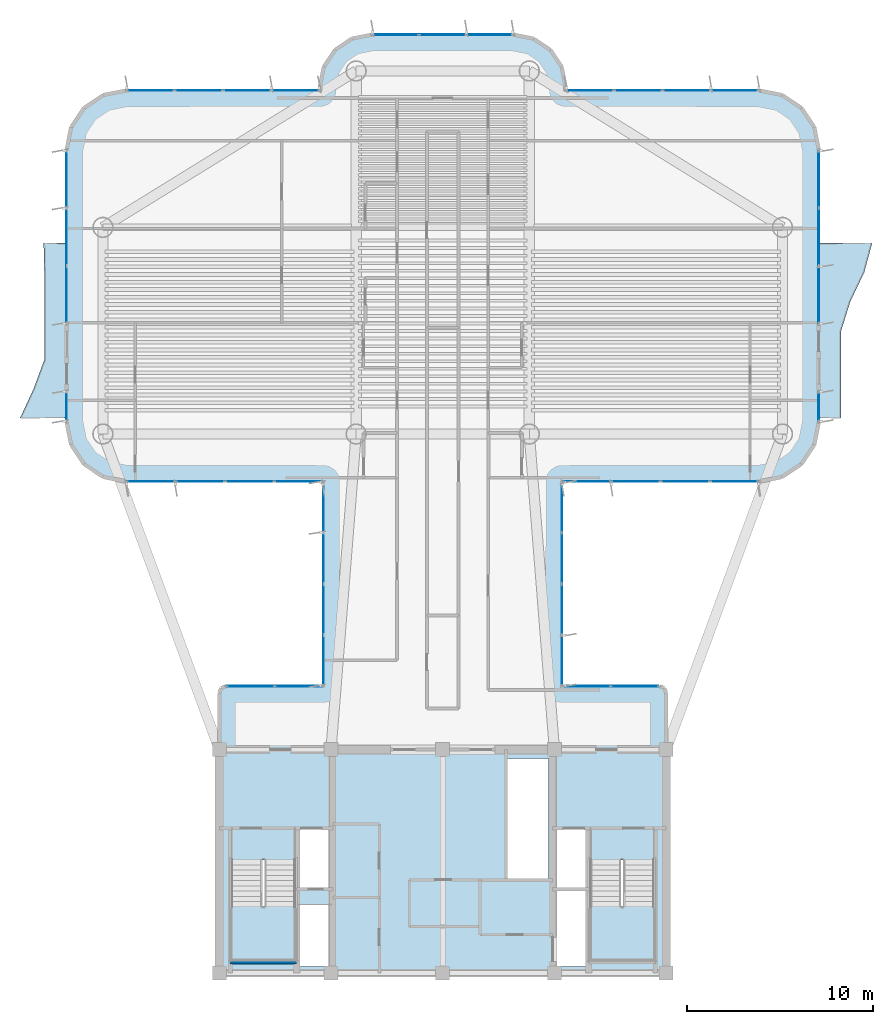
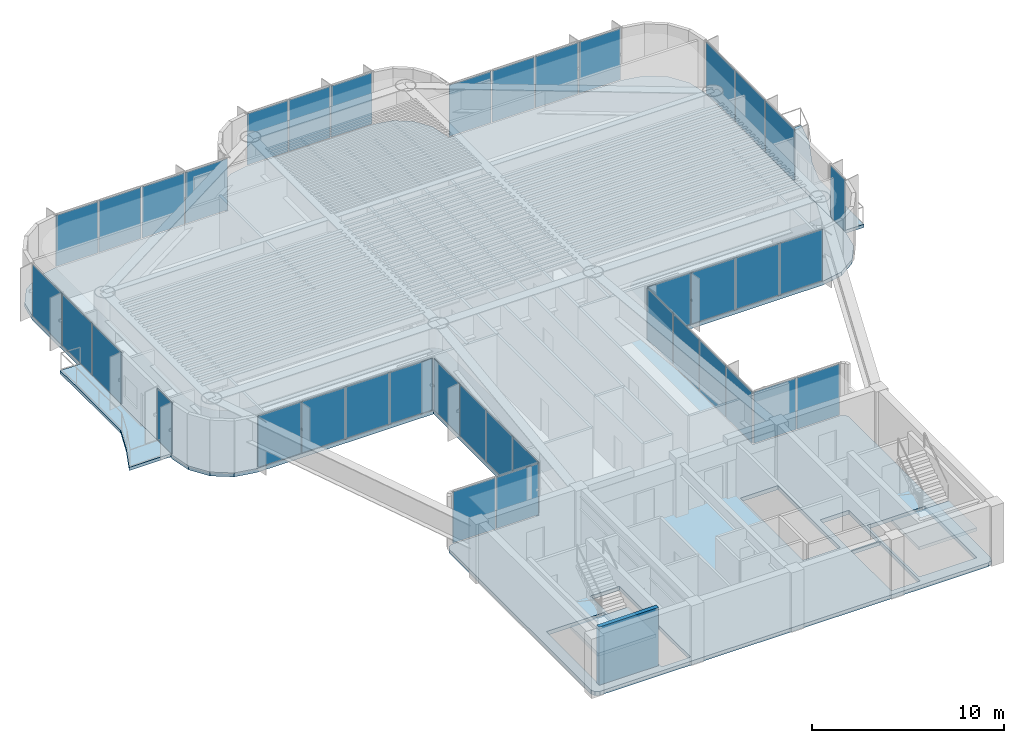
# One storey, part 7 of 13: 39 plates, 5 slabs, 1 wall, 15 elements without a shape of their own.
"""IFC4 building model written with IfcOpenShell, lengths in metres."""

from ifc_helpers import new_model, si_unit, direction, frame, frame_2d, origin, origin_2d, place, context, subcontext, project, spatial, polyline, rectangle, outline, extrude, source, transform, mapped, material, layer, layer_set, type_object, element, aggregate, save


model = new_model("IFC4")

# Units and contexts
model_context = context("Model", 3, precision=1e-05, world=origin(), true_north=direction((0.0, 1.0)))
body_context = subcontext(model_context, "Body", "Model", "MODEL_VIEW")
ifc_project = project(units=[si_unit("LENGTHUNIT", "METRE"), si_unit("AREAUNIT", "SQUARE_METRE"), si_unit("VOLUMEUNIT", "CUBIC_METRE"), si_unit("PLANEANGLEUNIT", "RADIAN"), si_unit("MASSUNIT", "GRAM", prefix="KILO")], contexts=[model_context])

# Site, building, storey
site_placement = place(None, origin())
site = spatial("IfcSite", under=ifc_project, at=site_placement, CompositionType="ELEMENT")
building_placement = place(site_placement, origin())
building = spatial("IfcBuilding", under=site, at=building_placement, Name="Brelvock Crest Care Tower", CompositionType="ELEMENT")
storey_placement = place(building_placement, frame((0.0, 0.0, 209.340087890625)))
storey = spatial("IfcBuildingStorey", under=building, at=storey_placement, Name="L53", CompositionType="ELEMENT", Elevation=209.340087890625)

# Slabs
ifc_material_1 = material(Name="Concrete N50 (50 MPa)", Category="concrete")
ifc_layer_1 = layer(ifc_material_1, 0.22998046875, Name="SLB-FL4")
ifc_layer_set_1 = layer_set([ifc_layer_1], Name="Concrete N50 (50 MPa)")
slab_type_1 = type_object("IfcSlabType", Name="SLB-FL4", PredefinedType="FLOOR", material=ifc_layer_set_1)
slab_1_placement = place(storey_placement, frame((0.0, 0.0, -0.25)))
element("IfcSlab", 1, at=slab_1_placement, inside=storey, type_object=slab_type_1, Name="L53 Main Structural Slab", PredefinedType="FLOOR", context=body_context, shape_type="SweptSolid", body=[
    extrude(outline(polyline([(47.64990234375, 21.39990234375), (42.39990234375, 21.39990234375), (42.39990234375, 32.39990234375), (53.0, 32.39990234375), (54.224609375, 32.6435546875), (55.2626953125, 33.33740234375), (55.956298828125, 34.37548828125), (56.199951171875, 35.60009765625), (56.199951171875, 50.199951171875), (55.956298828125, 51.424560546875), (55.2626953125, 52.462646484375), (54.224609375, 53.156494140625), (53.0, 53.39990234375), (42.60009765625, 53.39990234375), (42.60009765625, 53.60009765625), (42.386962890625, 54.67138671875), (41.77978515625, 55.579833984375), (40.87158203125, 56.18701171875), (39.800048828125, 56.39990234375), (32.199951171875, 56.39990234375), (31.12841796875, 56.18701171875), (30.22021484375, 55.579833984375), (29.613037109375, 54.67138671875), (29.39990234375, 53.60009765625), (29.39990234375, 53.39990234375), (19.0, 53.39990234375), (17.775390625, 53.156494140625), (16.7373046875, 52.462646484375), (16.043701171875, 51.424560546875), (15.800048828125, 50.199951171875), (15.800048828125, 35.60009765625), (16.043701171875, 34.37548828125), (16.7373046875, 33.33740234375), (17.775390625, 32.6435546875), (19.0, 32.39990234375), (29.60009765625, 32.39990234375), (29.60009765625, 21.39990234375), (24.35009765625, 21.39990234375), (24.1025390625, 21.297607421875), (24.0, 21.050048828125), (24.0, 6.35009765625), (24.1025390625, 6.1025390625), (24.35009765625, 6.0), (47.64990234375, 6.0), (47.8974609375, 6.1025390625), (48.0, 6.35009765625), (48.0, 21.050048828125), (47.8974609375, 21.297607421875), (47.64990234375, 21.39990234375)]), holes=[polyline([(28.239990234375, 10.580078125), (29.97998046875, 10.580078125), (29.97998046875, 13.739990234375), (28.239990234375, 13.739990234375), (28.239990234375, 10.580078125)]), polyline([(42.02001953125, 10.580078125), (43.760009765625, 10.580078125), (43.760009765625, 13.739990234375), (42.02001953125, 13.739990234375), (42.02001953125, 10.580078125)]), polyline([(28.239990234375, 6.340087890625), (29.97998046875, 6.340087890625), (29.97998046875, 9.64990234375), (28.239990234375, 9.64990234375), (28.239990234375, 6.340087890625)]), polyline([(24.6298828125, 12.080078125), (24.6298828125, 6.699951171875), (28.110107421875, 6.699951171875), (28.110107421875, 12.080078125), (24.6298828125, 12.080078125)]), polyline([(43.889892578125, 12.080078125), (43.889892578125, 6.699951171875), (47.3701171875, 6.699951171875), (47.3701171875, 12.080078125), (43.889892578125, 12.080078125)]), polyline([(42.02001953125, 6.340087890625), (43.760009765625, 6.340087890625), (43.760009765625, 10.5), (42.02001953125, 10.5), (42.02001953125, 6.340087890625)]), polyline([(39.429931640625, 11.030029296875), (41.669921875, 11.030029296875), (41.669921875, 17.52001953125), (39.429931640625, 17.52001953125), (39.429931640625, 11.030029296875)])]), origin(), (0.0, 0.0, 1.0), 0.25),
])
ifc_layer_2 = layer(ifc_material_1, 0.199951171875, Name="SLB-WB2")
ifc_layer_set_2 = layer_set([ifc_layer_2], Name="Concrete N50 (50 MPa)")
slab_type_2 = type_object("IfcSlabType", Name="SLB-WB2", PredefinedType="FLOOR", material=ifc_layer_set_2)
slab_2_placement = place(storey_placement, frame((0.0, 0.0, -0.2001953125)))
element("IfcSlab", 2, at=slab_2_placement, inside=storey, type_object=slab_type_2, Name="L53 W Sinusoidal Wave Balcony Slab", PredefinedType="FLOOR", context=body_context, shape_type="SweptSolid", body=[
    extrude(outline(polyline([(15.800048828125, 45.199951171875), (14.565185546875, 45.199951171875), (14.60009765625, 43.63330078125), (14.60009765625, 42.066650390625), (14.60009765625, 40.5), (14.60009765625, 38.933349609375), (14.021484375, 37.36669921875), (13.29541015625, 35.800048828125), (15.800048828125, 35.800048828125), (15.800048828125, 45.199951171875)])), origin(), (0.0, 0.0, 1.0), 0.2001953125),
])
slab_3_placement = place(storey_placement, frame((0.0, 0.0, -0.2001953125)))
element("IfcSlab", 3, at=slab_3_placement, inside=storey, type_object=slab_type_2, Name="L53 E Sinusoidal Wave Balcony Slab", PredefinedType="FLOOR", context=body_context, shape_type="SweptSolid", body=[
    extrude(outline(polyline([(56.199951171875, 35.800048828125), (57.39990234375, 35.800048828125), (57.39990234375, 37.36669921875), (57.39990234375, 38.933349609375), (57.39990234375, 40.5), (57.89111328125, 42.066650390625), (58.64013671875, 43.63330078125), (59.062744140625, 45.199951171875), (56.199951171875, 45.199951171875), (56.199951171875, 35.800048828125)])), origin(), (0.0, 0.0, 1.0), 0.2001953125),
])

# Stair, slab
ifc_material_2 = material(Name="Concrete N40 (40 MPa)", Category="concrete")
stair_type = type_object("IfcStairType", Name="ST-CORE1", PredefinedType="HALF_TURN_STAIR", material=ifc_material_2)
stair_1_placement = place(storey_placement, origin())
stair_1 = element("IfcStair", 4, at=stair_1_placement, inside=storey, type_object=stair_type, Name="L53 Fire-Isolated Core Stair ST-1", PredefinedType="HALF_TURN_STAIR")
ifc_layer_3 = layer(ifc_material_2, 0.199951171875, Name="STL-1")
ifc_layer_set_3 = layer_set([ifc_layer_3], Name="Concrete N40 (40 MPa)")
slab_type_3 = type_object("IfcSlabType", Name="STL-1", PredefinedType="LANDING", material=ifc_layer_set_3)
slab_4_placement = place(storey_placement, frame((0.0, 0.0, 1.68994140625)))
slab_4 = element("IfcSlab", 5, at=slab_4_placement, type_object=slab_type_3, Name="ST-1 landing 1", PredefinedType="LANDING", context=body_context, shape_type="SweptSolid", body=[
    extrude(outline(polyline([(24.6298828125, 9.56005859375), (24.6298828125, 6.699951171875), (28.110107421875, 6.699951171875), (28.110107421875, 9.56005859375), (24.6298828125, 9.56005859375)])), origin(), (0.0, 0.0, 1.0), 0.199951171875),
])
aggregate(stair_1, [slab_4])

stair_2_placement = place(storey_placement, origin())
stair_2 = element("IfcStair", 6, at=stair_2_placement, inside=storey, type_object=stair_type, Name="L53 Fire-Isolated Core Stair ST-2", PredefinedType="HALF_TURN_STAIR")
slab_5_placement = place(storey_placement, frame((0.0, 0.0, 1.68994140625)))
slab_5 = element("IfcSlab", 7, at=slab_5_placement, type_object=slab_type_3, Name="ST-2 landing 1", PredefinedType="LANDING", context=body_context, shape_type="SweptSolid", body=[
    extrude(outline(polyline([(43.889892578125, 9.56005859375), (43.889892578125, 6.699951171875), (47.3701171875, 6.699951171875), (47.3701171875, 9.56005859375), (43.889892578125, 9.56005859375)])), origin(), (0.0, 0.0, 1.0), 0.199951171875),
])
aggregate(stair_2, [slab_5])

# Curtain wall, plates
ifc_material_3 = material(Name="Dark Glass Double Glazed Low-E", Category="glass")
ifc_layer_4 = layer(ifc_material_3, 0.22509765625, Name="CWS-4")
ifc_layer_set_4 = layer_set([ifc_layer_4], Name="Dark Glass Double Glazed Low-E")
curtain_wall_type = type_object("IfcCurtainWallType", Name="CWS-4", PredefinedType="NOTDEFINED", material=ifc_layer_set_4)
curtain_wall_1_placement = place(storey_placement, origin())
curtain_wall_1 = element("IfcCurtainWall", 8, at=curtain_wall_1_placement, inside=storey, type_object=curtain_wall_type, Name="L53 Curtain Wall E10", PredefinedType="NOTDEFINED")
ifc_layer_5 = layer(ifc_material_3, 0.0380859375, Name="CWP-V2")
ifc_layer_set_5 = layer_set([ifc_layer_5], Name="Dark Glass Double Glazed Low-E")
plate_type = type_object("IfcPlateType", Name="CWP-V2", PredefinedType="CURTAIN_PANEL", material=ifc_layer_set_5)
shared_shape_1 = source(origin(), body_context, "Body", "SweptSolid", [
    extrude(rectangle(XDim=2.534912109375, YDim=0.035888671875, at=origin_2d()), origin(), (0.0, 0.0, 1.0), 3.251953125),
])
plate_1_placement = place(storey_placement, frame((25.677490234375, 21.39990234375, 0.059814453125), z_axis=(0.0, 0.0, 1.0), x_axis=(1.0, 0.0, 0.0)))
plate_1 = element("IfcPlate", 9, at=plate_1_placement, type_object=plate_type, Name="CW-4 panel 1.1", PredefinedType="CURTAIN_PANEL", context=body_context, shape_type="MappedRepresentation", body=[
    mapped(shared_shape_1, transform((0.0, 0.0, 0.0), x_axis=(1.0, 0.0, 0.0), y_axis=(0.0, 1.0, 0.0), z_axis=(0.0, 0.0, 1.0), scale=1.0)),
])
plate_2_placement = place(storey_placement, frame((28.2724609375, 21.39990234375, 0.059814453125), z_axis=(0.0, 0.0, 1.0), x_axis=(1.0, 0.0, 0.0)))
plate_2 = element("IfcPlate", 10, at=plate_2_placement, type_object=plate_type, Name="CW-4 panel 2.1", PredefinedType="CURTAIN_PANEL", context=body_context, shape_type="MappedRepresentation", body=[
    mapped(shared_shape_1, transform((0.0, 0.0, 0.0), x_axis=(1.0, 0.0, 0.0), y_axis=(0.0, 1.0, 0.0), z_axis=(0.0, 0.0, 1.0), scale=1.0)),
])
aggregate(curtain_wall_1, [plate_1, plate_2])

curtain_wall_2_placement = place(storey_placement, origin())
curtain_wall_2 = element("IfcCurtainWall", 11, at=curtain_wall_2_placement, inside=storey, type_object=curtain_wall_type, Name="L53 Curtain Wall E46", PredefinedType="NOTDEFINED")
plate_3_placement = place(storey_placement, frame((43.7275390625, 21.39990234375, 0.059814453125), z_axis=(0.0, 0.0, 1.0), x_axis=(1.0, 0.0, 0.0)))
plate_3 = element("IfcPlate", 12, at=plate_3_placement, type_object=plate_type, Name="CW-4 panel 1.1", PredefinedType="CURTAIN_PANEL", context=body_context, shape_type="MappedRepresentation", body=[
    mapped(shared_shape_1, transform((0.0, 0.0, 0.0), x_axis=(1.0, 0.0, 0.0), y_axis=(0.0, 1.0, 0.0), z_axis=(0.0, 0.0, 1.0), scale=1.0)),
])
plate_4_placement = place(storey_placement, frame((46.322509765625, 21.39990234375, 0.059814453125), z_axis=(0.0, 0.0, 1.0), x_axis=(1.0, 0.0, 0.0)))
plate_4 = element("IfcPlate", 13, at=plate_4_placement, type_object=plate_type, Name="CW-4 panel 2.1", PredefinedType="CURTAIN_PANEL", context=body_context, shape_type="MappedRepresentation", body=[
    mapped(shared_shape_1, transform((0.0, 0.0, 0.0), x_axis=(1.0, 0.0, 0.0), y_axis=(0.0, 1.0, 0.0), z_axis=(0.0, 0.0, 1.0), scale=1.0)),
])
aggregate(curtain_wall_2, [plate_3, plate_4])

curtain_wall_3_placement = place(storey_placement, origin())
curtain_wall_3 = element("IfcCurtainWall", 14, at=curtain_wall_3_placement, inside=storey, type_object=curtain_wall_type, Name="L53 Curtain Wall E11", PredefinedType="NOTDEFINED")
shared_shape_2 = source(origin(), body_context, "Body", "SweptSolid", [
    extrude(rectangle(XDim=2.659912109375, YDim=0.035888671875, at=origin_2d()), origin(), (0.0, 0.0, 1.0), 3.251953125),
])
plate_5_placement = place(storey_placement, frame((29.60009765625, 22.7900390625, 0.059814453125), z_axis=(0.0, 0.0, 1.0), x_axis=(0.0, 1.0, 0.0)))
plate_5 = element("IfcPlate", 15, at=plate_5_placement, type_object=plate_type, Name="CW-4 panel 1.1", PredefinedType="CURTAIN_PANEL", context=body_context, shape_type="MappedRepresentation", body=[
    mapped(shared_shape_2, transform((0.0, 0.0, 0.0), x_axis=(1.0, 0.0, 0.0), y_axis=(0.0, 1.0, 0.0), z_axis=(0.0, 0.0, 1.0), scale=1.0)),
])
plate_6_placement = place(storey_placement, frame((29.60009765625, 31.010009765625, 0.059814453125), z_axis=(0.0, 0.0, 1.0), x_axis=(0.0, 1.0, 0.0)))
plate_6 = element("IfcPlate", 16, at=plate_6_placement, type_object=plate_type, Name="CW-4 panel 4.1", PredefinedType="CURTAIN_PANEL", context=body_context, shape_type="MappedRepresentation", body=[
    mapped(shared_shape_2, transform((0.0, 0.0, 0.0), x_axis=(1.0, 0.0, 0.0), y_axis=(0.0, 1.0, 0.0), z_axis=(0.0, 0.0, 1.0), scale=1.0)),
])

curtain_wall_4_placement = place(storey_placement, origin())
curtain_wall_4 = element("IfcCurtainWall", 17, at=curtain_wall_4_placement, inside=storey, type_object=curtain_wall_type, Name="L53 Curtain Wall E45", PredefinedType="NOTDEFINED")
plate_7_placement = place(storey_placement, frame((42.39990234375, 31.010009765625, 0.059814453125), z_axis=(0.0, 0.0, 1.0), x_axis=(0.0, -1.0, 0.0)))
plate_7 = element("IfcPlate", 18, at=plate_7_placement, type_object=plate_type, Name="CW-4 panel 1.1", PredefinedType="CURTAIN_PANEL", context=body_context, shape_type="MappedRepresentation", body=[
    mapped(shared_shape_2, transform((0.0, 0.0, 0.0), x_axis=(1.0, 0.0, 0.0), y_axis=(0.0, 1.0, 0.0), z_axis=(0.0, 0.0, 1.0), scale=1.0)),
])
plate_8_placement = place(storey_placement, frame((42.39990234375, 22.7900390625, 0.059814453125), z_axis=(0.0, 0.0, 1.0), x_axis=(0.0, -1.0, 0.0)))
plate_8 = element("IfcPlate", 19, at=plate_8_placement, type_object=plate_type, Name="CW-4 panel 4.1", PredefinedType="CURTAIN_PANEL", context=body_context, shape_type="MappedRepresentation", body=[
    mapped(shared_shape_2, transform((0.0, 0.0, 0.0), x_axis=(1.0, 0.0, 0.0), y_axis=(0.0, 1.0, 0.0), z_axis=(0.0, 0.0, 1.0), scale=1.0)),
])

# Plate
shared_shape_3 = source(origin(), body_context, "Body", "SweptSolid", [
    extrude(rectangle(XDim=2.68994140625, YDim=0.035888671875, at=origin_2d()), origin(), (0.0, 0.0, 1.0), 3.251953125),
])
plate_9_placement = place(storey_placement, frame((29.60009765625, 25.52490234375, 0.059814453125), z_axis=(0.0, 0.0, 1.0), x_axis=(0.0, 1.0, 0.0)))
plate_9 = element("IfcPlate", 20, at=plate_9_placement, type_object=plate_type, Name="CW-4 panel 2.1", PredefinedType="CURTAIN_PANEL", context=body_context, shape_type="MappedRepresentation", body=[
    mapped(shared_shape_3, transform((0.0, 0.0, 0.0), x_axis=(1.0, 0.0, 0.0), y_axis=(0.0, 1.0, 0.0), z_axis=(0.0, 0.0, 1.0), scale=1.0)),
])

plate_10_placement = place(storey_placement, frame((29.60009765625, 28.27490234375, 0.059814453125), z_axis=(0.0, 0.0, 1.0), x_axis=(0.0, 1.0, 0.0)))
plate_10 = element("IfcPlate", 21, at=plate_10_placement, type_object=plate_type, Name="CW-4 panel 3.1", PredefinedType="CURTAIN_PANEL", context=body_context, shape_type="MappedRepresentation", body=[
    mapped(shared_shape_3, transform((0.0, 0.0, 0.0), x_axis=(1.0, 0.0, 0.0), y_axis=(0.0, 1.0, 0.0), z_axis=(0.0, 0.0, 1.0), scale=1.0)),
])

aggregate(curtain_wall_3, [plate_5, plate_9, plate_10, plate_6])

plate_11_placement = place(storey_placement, frame((42.39990234375, 28.27490234375, 0.059814453125), z_axis=(0.0, 0.0, 1.0), x_axis=(0.0, -1.0, 0.0)))
plate_11 = element("IfcPlate", 22, at=plate_11_placement, type_object=plate_type, Name="CW-4 panel 2.1", PredefinedType="CURTAIN_PANEL", context=body_context, shape_type="MappedRepresentation", body=[
    mapped(shared_shape_3, transform((0.0, 0.0, 0.0), x_axis=(1.0, 0.0, 0.0), y_axis=(0.0, 1.0, 0.0), z_axis=(0.0, 0.0, 1.0), scale=1.0)),
])

plate_12_placement = place(storey_placement, frame((42.39990234375, 25.52490234375, 0.059814453125), z_axis=(0.0, 0.0, 1.0), x_axis=(0.0, -1.0, 0.0)))
plate_12 = element("IfcPlate", 23, at=plate_12_placement, type_object=plate_type, Name="CW-4 panel 3.1", PredefinedType="CURTAIN_PANEL", context=body_context, shape_type="MappedRepresentation", body=[
    mapped(shared_shape_3, transform((0.0, 0.0, 0.0), x_axis=(1.0, 0.0, 0.0), y_axis=(0.0, 1.0, 0.0), z_axis=(0.0, 0.0, 1.0), scale=1.0)),
])

aggregate(curtain_wall_4, [plate_7, plate_11, plate_12, plate_8])

# Curtain wall, plates
curtain_wall_5_placement = place(storey_placement, origin())
curtain_wall_5 = element("IfcCurtainWall", 24, at=curtain_wall_5_placement, inside=storey, type_object=curtain_wall_type, Name="L53 Curtain Wall E12", PredefinedType="NOTDEFINED")
shared_shape_4 = source(origin(), body_context, "Body", "SweptSolid", [
    extrude(rectangle(XDim=2.56005859375, YDim=0.035888671875, at=origin_2d()), origin(), (0.0, 0.0, 1.0), 3.251953125),
])
plate_13_placement = place(storey_placement, frame((28.260009765625, 32.39990234375, 0.059814453125), z_axis=(0.0, 0.0, 1.0), x_axis=(-1.0, 0.0, 0.0)))
plate_13 = element("IfcPlate", 25, at=plate_13_placement, type_object=plate_type, Name="CW-4 panel 1.1", PredefinedType="CURTAIN_PANEL", context=body_context, shape_type="MappedRepresentation", body=[
    mapped(shared_shape_4, transform((0.0, 0.0, 0.0), x_axis=(1.0, 0.0, 0.0), y_axis=(0.0, 1.0, 0.0), z_axis=(0.0, 0.0, 1.0), scale=1.0)),
])
plate_14_placement = place(storey_placement, frame((20.340087890625, 32.39990234375, 0.059814453125), z_axis=(0.0, 0.0, 1.0), x_axis=(-1.0, 0.0, 0.0)))
plate_14 = element("IfcPlate", 26, at=plate_14_placement, type_object=plate_type, Name="CW-4 panel 4.1", PredefinedType="CURTAIN_PANEL", context=body_context, shape_type="MappedRepresentation", body=[
    mapped(shared_shape_4, transform((0.0, 0.0, 0.0), x_axis=(1.0, 0.0, 0.0), y_axis=(0.0, 1.0, 0.0), z_axis=(0.0, 0.0, 1.0), scale=1.0)),
])

curtain_wall_6_placement = place(storey_placement, origin())
curtain_wall_6 = element("IfcCurtainWall", 27, at=curtain_wall_6_placement, inside=storey, type_object=curtain_wall_type, Name="L53 Curtain Wall E44", PredefinedType="NOTDEFINED")
plate_15_placement = place(storey_placement, frame((51.659912109375, 32.39990234375, 0.059814453125), z_axis=(0.0, 0.0, 1.0), x_axis=(-1.0, 0.0, 0.0)))
plate_15 = element("IfcPlate", 28, at=plate_15_placement, type_object=plate_type, Name="CW-4 panel 1.1", PredefinedType="CURTAIN_PANEL", context=body_context, shape_type="MappedRepresentation", body=[
    mapped(shared_shape_4, transform((0.0, 0.0, 0.0), x_axis=(1.0, 0.0, 0.0), y_axis=(0.0, 1.0, 0.0), z_axis=(0.0, 0.0, 1.0), scale=1.0)),
])
plate_16_placement = place(storey_placement, frame((43.739990234375, 32.39990234375, 0.059814453125), z_axis=(0.0, 0.0, 1.0), x_axis=(-1.0, 0.0, 0.0)))
plate_16 = element("IfcPlate", 29, at=plate_16_placement, type_object=plate_type, Name="CW-4 panel 4.1", PredefinedType="CURTAIN_PANEL", context=body_context, shape_type="MappedRepresentation", body=[
    mapped(shared_shape_4, transform((0.0, 0.0, 0.0), x_axis=(1.0, 0.0, 0.0), y_axis=(0.0, 1.0, 0.0), z_axis=(0.0, 0.0, 1.0), scale=1.0)),
])

# Plate
shared_shape_5 = source(origin(), body_context, "Body", "SweptSolid", [
    extrude(rectangle(XDim=2.590087890625, YDim=0.035888671875, at=origin_2d()), origin(), (0.0, 0.0, 1.0), 3.251953125),
])
plate_17_placement = place(storey_placement, frame((25.625, 32.39990234375, 0.059814453125), z_axis=(0.0, 0.0, 1.0), x_axis=(-1.0, 0.0, 0.0)))
plate_17 = element("IfcPlate", 30, at=plate_17_placement, type_object=plate_type, Name="CW-4 panel 2.1", PredefinedType="CURTAIN_PANEL", context=body_context, shape_type="MappedRepresentation", body=[
    mapped(shared_shape_5, transform((0.0, 0.0, 0.0), x_axis=(1.0, 0.0, 0.0), y_axis=(0.0, 1.0, 0.0), z_axis=(0.0, 0.0, 1.0), scale=1.0)),
])

plate_18_placement = place(storey_placement, frame((22.97509765625, 32.39990234375, 0.059814453125), z_axis=(0.0, 0.0, 1.0), x_axis=(-1.0, 0.0, 0.0)))
plate_18 = element("IfcPlate", 31, at=plate_18_placement, type_object=plate_type, Name="CW-4 panel 3.1", PredefinedType="CURTAIN_PANEL", context=body_context, shape_type="MappedRepresentation", body=[
    mapped(shared_shape_5, transform((0.0, 0.0, 0.0), x_axis=(1.0, 0.0, 0.0), y_axis=(0.0, 1.0, 0.0), z_axis=(0.0, 0.0, 1.0), scale=1.0)),
])

aggregate(curtain_wall_5, [plate_13, plate_17, plate_18, plate_14])

plate_19_placement = place(storey_placement, frame((49.02490234375, 32.39990234375, 0.059814453125), z_axis=(0.0, 0.0, 1.0), x_axis=(-1.0, 0.0, 0.0)))
plate_19 = element("IfcPlate", 32, at=plate_19_placement, type_object=plate_type, Name="CW-4 panel 2.1", PredefinedType="CURTAIN_PANEL", context=body_context, shape_type="MappedRepresentation", body=[
    mapped(shared_shape_5, transform((0.0, 0.0, 0.0), x_axis=(1.0, 0.0, 0.0), y_axis=(0.0, 1.0, 0.0), z_axis=(0.0, 0.0, 1.0), scale=1.0)),
])

plate_20_placement = place(storey_placement, frame((46.375, 32.39990234375, 0.059814453125), z_axis=(0.0, 0.0, 1.0), x_axis=(-1.0, 0.0, 0.0)))
plate_20 = element("IfcPlate", 33, at=plate_20_placement, type_object=plate_type, Name="CW-4 panel 3.1", PredefinedType="CURTAIN_PANEL", context=body_context, shape_type="MappedRepresentation", body=[
    mapped(shared_shape_5, transform((0.0, 0.0, 0.0), x_axis=(1.0, 0.0, 0.0), y_axis=(0.0, 1.0, 0.0), z_axis=(0.0, 0.0, 1.0), scale=1.0)),
])

aggregate(curtain_wall_6, [plate_15, plate_19, plate_20, plate_16])

# Curtain wall, plate
curtain_wall_7_placement = place(storey_placement, origin())
curtain_wall_7 = element("IfcCurtainWall", 34, at=curtain_wall_7_placement, inside=storey, type_object=curtain_wall_type, Name="L53 Curtain Wall E17A", PredefinedType="NOTDEFINED")
shared_shape_6 = source(origin(), body_context, "Body", "SweptSolid", [
    extrude(rectangle(XDim=1.530029296875, YDim=0.035888671875, at=origin_2d()), origin(), (0.0, 0.0, 1.0), 3.251953125),
])
plate_21_placement = place(storey_placement, frame((15.800048828125, 36.425048828125, 0.059814453125), z_axis=(0.0, 0.0, 1.0), x_axis=(0.0, 1.0, 0.0)))
plate_21 = element("IfcPlate", 35, at=plate_21_placement, type_object=plate_type, Name="CW-4 panel 1.1", PredefinedType="CURTAIN_PANEL", context=body_context, shape_type="MappedRepresentation", body=[
    mapped(shared_shape_6, transform((0.0, 0.0, 0.0), x_axis=(1.0, 0.0, 0.0), y_axis=(0.0, 1.0, 0.0), z_axis=(0.0, 0.0, 1.0), scale=1.0)),
])
aggregate(curtain_wall_7, [plate_21])

curtain_wall_8_placement = place(storey_placement, origin())
curtain_wall_8 = element("IfcCurtainWall", 36, at=curtain_wall_8_placement, inside=storey, type_object=curtain_wall_type, Name="L53 Curtain Wall E39B", PredefinedType="NOTDEFINED")
plate_22_placement = place(storey_placement, frame((56.199951171875, 36.425048828125, 0.059814453125), z_axis=(0.0, 0.0, 1.0), x_axis=(0.0, -1.0, 0.0)))
plate_22 = element("IfcPlate", 37, at=plate_22_placement, type_object=plate_type, Name="CW-4 panel 1.1", PredefinedType="CURTAIN_PANEL", context=body_context, shape_type="MappedRepresentation", body=[
    mapped(shared_shape_6, transform((0.0, 0.0, 0.0), x_axis=(1.0, 0.0, 0.0), y_axis=(0.0, 1.0, 0.0), z_axis=(0.0, 0.0, 1.0), scale=1.0)),
])
aggregate(curtain_wall_8, [plate_22])

# Curtain wall, plates
curtain_wall_9_placement = place(storey_placement, origin())
curtain_wall_9 = element("IfcCurtainWall", 38, at=curtain_wall_9_placement, inside=storey, type_object=curtain_wall_type, Name="L53 Curtain Wall E17B", PredefinedType="NOTDEFINED")
shared_shape_7 = source(origin(), body_context, "Body", "SweptSolid", [
    extrude(rectangle(XDim=3.026611328125, YDim=0.035888671875, at=origin_2d()), origin(), (0.0, 0.0, 1.0), 3.251953125),
])
plate_23_placement = place(storey_placement, frame((15.800048828125, 42.42333984375, 0.059814453125), z_axis=(0.0, 0.0, 1.0), x_axis=(0.0, 1.0, 0.0)))
plate_23 = element("IfcPlate", 39, at=plate_23_placement, type_object=plate_type, Name="CW-4 panel 1.1", PredefinedType="CURTAIN_PANEL", context=body_context, shape_type="MappedRepresentation", body=[
    mapped(shared_shape_7, transform((0.0, 0.0, 0.0), x_axis=(1.0, 0.0, 0.0), y_axis=(0.0, 1.0, 0.0), z_axis=(0.0, 0.0, 1.0), scale=1.0)),
])
plate_24_placement = place(storey_placement, frame((15.800048828125, 48.626708984375, 0.059814453125), z_axis=(0.0, 0.0, 1.0), x_axis=(0.0, 1.0, 0.0)))
plate_24 = element("IfcPlate", 40, at=plate_24_placement, type_object=plate_type, Name="CW-4 panel 3.1", PredefinedType="CURTAIN_PANEL", context=body_context, shape_type="MappedRepresentation", body=[
    mapped(shared_shape_7, transform((0.0, 0.0, 0.0), x_axis=(1.0, 0.0, 0.0), y_axis=(0.0, 1.0, 0.0), z_axis=(0.0, 0.0, 1.0), scale=1.0)),
])

curtain_wall_10_placement = place(storey_placement, origin())
curtain_wall_10 = element("IfcCurtainWall", 41, at=curtain_wall_10_placement, inside=storey, type_object=curtain_wall_type, Name="L53 Curtain Wall E39A", PredefinedType="NOTDEFINED")
plate_25_placement = place(storey_placement, frame((56.199951171875, 48.626708984375, 0.059814453125), z_axis=(0.0, 0.0, 1.0), x_axis=(0.0, -1.0, 0.0)))
plate_25 = element("IfcPlate", 42, at=plate_25_placement, type_object=plate_type, Name="CW-4 panel 1.1", PredefinedType="CURTAIN_PANEL", context=body_context, shape_type="MappedRepresentation", body=[
    mapped(shared_shape_7, transform((0.0, 0.0, 0.0), x_axis=(1.0, 0.0, 0.0), y_axis=(0.0, 1.0, 0.0), z_axis=(0.0, 0.0, 1.0), scale=1.0)),
])
plate_26_placement = place(storey_placement, frame((56.199951171875, 42.42333984375, 0.059814453125), z_axis=(0.0, 0.0, 1.0), x_axis=(0.0, -1.0, 0.0)))
plate_26 = element("IfcPlate", 43, at=plate_26_placement, type_object=plate_type, Name="CW-4 panel 3.1", PredefinedType="CURTAIN_PANEL", context=body_context, shape_type="MappedRepresentation", body=[
    mapped(shared_shape_7, transform((0.0, 0.0, 0.0), x_axis=(1.0, 0.0, 0.0), y_axis=(0.0, 1.0, 0.0), z_axis=(0.0, 0.0, 1.0), scale=1.0)),
])

# Plate
shared_shape_8 = source(origin(), body_context, "Body", "SweptSolid", [
    extrude(rectangle(XDim=3.056640625, YDim=0.035888671875, at=origin_2d()), origin(), (0.0, 0.0, 1.0), 3.251953125),
])
plate_27_placement = place(storey_placement, frame((15.800048828125, 45.52490234375, 0.059814453125), z_axis=(0.0, 0.0, 1.0), x_axis=(0.0, 1.0, 0.0)))
plate_27 = element("IfcPlate", 44, at=plate_27_placement, type_object=plate_type, Name="CW-4 panel 2.1", PredefinedType="CURTAIN_PANEL", context=body_context, shape_type="MappedRepresentation", body=[
    mapped(shared_shape_8, transform((0.0, 0.0, 0.0), x_axis=(1.0, 0.0, 0.0), y_axis=(0.0, 1.0, 0.0), z_axis=(0.0, 0.0, 1.0), scale=1.0)),
])

aggregate(curtain_wall_9, [plate_23, plate_27, plate_24])

plate_28_placement = place(storey_placement, frame((56.199951171875, 45.52490234375, 0.059814453125), z_axis=(0.0, 0.0, 1.0), x_axis=(0.0, -1.0, 0.0)))
plate_28 = element("IfcPlate", 45, at=plate_28_placement, type_object=plate_type, Name="CW-4 panel 2.1", PredefinedType="CURTAIN_PANEL", context=body_context, shape_type="MappedRepresentation", body=[
    mapped(shared_shape_8, transform((0.0, 0.0, 0.0), x_axis=(1.0, 0.0, 0.0), y_axis=(0.0, 1.0, 0.0), z_axis=(0.0, 0.0, 1.0), scale=1.0)),
])

aggregate(curtain_wall_10, [plate_25, plate_28, plate_26])

# Curtain wall, plates
curtain_wall_11_placement = place(storey_placement, origin())
curtain_wall_11 = element("IfcCurtainWall", 46, at=curtain_wall_11_placement, inside=storey, type_object=curtain_wall_type, Name="L53 Curtain Wall E22", PredefinedType="NOTDEFINED")
shared_shape_9 = source(origin(), body_context, "Body", "SweptSolid", [
    extrude(rectangle(XDim=2.510009765625, YDim=0.035888671875, at=origin_2d()), origin(), (0.0, 0.0, 1.0), 3.251953125),
])
plate_29_placement = place(storey_placement, frame((20.31494140625, 53.39990234375, 0.059814453125), z_axis=(0.0, 0.0, 1.0), x_axis=(1.0, 0.0, 0.0)))
plate_29 = element("IfcPlate", 47, at=plate_29_placement, type_object=plate_type, Name="CW-4 panel 1.1", PredefinedType="CURTAIN_PANEL", context=body_context, shape_type="MappedRepresentation", body=[
    mapped(shared_shape_9, transform((0.0, 0.0, 0.0), x_axis=(1.0, 0.0, 0.0), y_axis=(0.0, 1.0, 0.0), z_axis=(0.0, 0.0, 1.0), scale=1.0)),
])
plate_30_placement = place(storey_placement, frame((28.0849609375, 53.39990234375, 0.059814453125), z_axis=(0.0, 0.0, 1.0), x_axis=(1.0, 0.0, 0.0)))
plate_30 = element("IfcPlate", 48, at=plate_30_placement, type_object=plate_type, Name="CW-4 panel 4.1", PredefinedType="CURTAIN_PANEL", context=body_context, shape_type="MappedRepresentation", body=[
    mapped(shared_shape_9, transform((0.0, 0.0, 0.0), x_axis=(1.0, 0.0, 0.0), y_axis=(0.0, 1.0, 0.0), z_axis=(0.0, 0.0, 1.0), scale=1.0)),
])

curtain_wall_12_placement = place(storey_placement, origin())
curtain_wall_12 = element("IfcCurtainWall", 49, at=curtain_wall_12_placement, inside=storey, type_object=curtain_wall_type, Name="L53 Curtain Wall E34", PredefinedType="NOTDEFINED")
plate_31_placement = place(storey_placement, frame((43.9150390625, 53.39990234375, 0.059814453125), z_axis=(0.0, 0.0, 1.0), x_axis=(1.0, 0.0, 0.0)))
plate_31 = element("IfcPlate", 50, at=plate_31_placement, type_object=plate_type, Name="CW-4 panel 1.1", PredefinedType="CURTAIN_PANEL", context=body_context, shape_type="MappedRepresentation", body=[
    mapped(shared_shape_9, transform((0.0, 0.0, 0.0), x_axis=(1.0, 0.0, 0.0), y_axis=(0.0, 1.0, 0.0), z_axis=(0.0, 0.0, 1.0), scale=1.0)),
])
plate_32_placement = place(storey_placement, frame((51.68505859375, 53.39990234375, 0.059814453125), z_axis=(0.0, 0.0, 1.0), x_axis=(1.0, 0.0, 0.0)))
plate_32 = element("IfcPlate", 51, at=plate_32_placement, type_object=plate_type, Name="CW-4 panel 4.1", PredefinedType="CURTAIN_PANEL", context=body_context, shape_type="MappedRepresentation", body=[
    mapped(shared_shape_9, transform((0.0, 0.0, 0.0), x_axis=(1.0, 0.0, 0.0), y_axis=(0.0, 1.0, 0.0), z_axis=(0.0, 0.0, 1.0), scale=1.0)),
])

# Plate
shared_shape_10 = source(origin(), body_context, "Body", "SweptSolid", [
    extrude(rectangle(XDim=2.5400390625, YDim=0.035888671875, at=origin_2d()), origin(), (0.0, 0.0, 1.0), 3.251953125),
])
plate_33_placement = place(storey_placement, frame((22.89990234375, 53.39990234375, 0.059814453125), z_axis=(0.0, 0.0, 1.0), x_axis=(1.0, 0.0, 0.0)))
plate_33 = element("IfcPlate", 52, at=plate_33_placement, type_object=plate_type, Name="CW-4 panel 2.1", PredefinedType="CURTAIN_PANEL", context=body_context, shape_type="MappedRepresentation", body=[
    mapped(shared_shape_10, transform((0.0, 0.0, 0.0), x_axis=(1.0, 0.0, 0.0), y_axis=(0.0, 1.0, 0.0), z_axis=(0.0, 0.0, 1.0), scale=1.0)),
])

plate_34_placement = place(storey_placement, frame((25.5, 53.39990234375, 0.059814453125), z_axis=(0.0, 0.0, 1.0), x_axis=(1.0, 0.0, 0.0)))
plate_34 = element("IfcPlate", 53, at=plate_34_placement, type_object=plate_type, Name="CW-4 panel 3.1", PredefinedType="CURTAIN_PANEL", context=body_context, shape_type="MappedRepresentation", body=[
    mapped(shared_shape_10, transform((0.0, 0.0, 0.0), x_axis=(1.0, 0.0, 0.0), y_axis=(0.0, 1.0, 0.0), z_axis=(0.0, 0.0, 1.0), scale=1.0)),
])

aggregate(curtain_wall_11, [plate_29, plate_33, plate_34, plate_30])

plate_35_placement = place(storey_placement, frame((46.5, 53.39990234375, 0.059814453125), z_axis=(0.0, 0.0, 1.0), x_axis=(1.0, 0.0, 0.0)))
plate_35 = element("IfcPlate", 54, at=plate_35_placement, type_object=plate_type, Name="CW-4 panel 2.1", PredefinedType="CURTAIN_PANEL", context=body_context, shape_type="MappedRepresentation", body=[
    mapped(shared_shape_10, transform((0.0, 0.0, 0.0), x_axis=(1.0, 0.0, 0.0), y_axis=(0.0, 1.0, 0.0), z_axis=(0.0, 0.0, 1.0), scale=1.0)),
])

plate_36_placement = place(storey_placement, frame((49.10009765625, 53.39990234375, 0.059814453125), z_axis=(0.0, 0.0, 1.0), x_axis=(1.0, 0.0, 0.0)))
plate_36 = element("IfcPlate", 55, at=plate_36_placement, type_object=plate_type, Name="CW-4 panel 3.1", PredefinedType="CURTAIN_PANEL", context=body_context, shape_type="MappedRepresentation", body=[
    mapped(shared_shape_10, transform((0.0, 0.0, 0.0), x_axis=(1.0, 0.0, 0.0), y_axis=(0.0, 1.0, 0.0), z_axis=(0.0, 0.0, 1.0), scale=1.0)),
])

aggregate(curtain_wall_12, [plate_31, plate_35, plate_36, plate_32])

# Curtain wall, plates
curtain_wall_13_placement = place(storey_placement, origin())
curtain_wall_13 = element("IfcCurtainWall", 56, at=curtain_wall_13_placement, inside=storey, type_object=curtain_wall_type, Name="L53 Curtain Wall E28", PredefinedType="NOTDEFINED")
shared_shape_11 = source(origin(), body_context, "Body", "SweptSolid", [
    extrude(rectangle(XDim=2.443359375, YDim=0.035888671875, at=origin_2d()), origin(), (0.0, 0.0, 1.0), 3.251953125),
])
plate_37_placement = place(storey_placement, frame((33.481689453125, 56.39990234375, 0.059814453125), z_axis=(0.0, 0.0, 1.0), x_axis=(1.0, 0.0, 0.0)))
plate_37 = element("IfcPlate", 57, at=plate_37_placement, type_object=plate_type, Name="CW-4 panel 1.1", PredefinedType="CURTAIN_PANEL", context=body_context, shape_type="MappedRepresentation", body=[
    mapped(shared_shape_11, transform((0.0, 0.0, 0.0), x_axis=(1.0, 0.0, 0.0), y_axis=(0.0, 1.0, 0.0), z_axis=(0.0, 0.0, 1.0), scale=1.0)),
])
plate_38_placement = place(storey_placement, frame((38.518310546875, 56.39990234375, 0.059814453125), z_axis=(0.0, 0.0, 1.0), x_axis=(1.0, 0.0, 0.0)))
plate_38 = element("IfcPlate", 58, at=plate_38_placement, type_object=plate_type, Name="CW-4 panel 3.1", PredefinedType="CURTAIN_PANEL", context=body_context, shape_type="MappedRepresentation", body=[
    mapped(shared_shape_11, transform((0.0, 0.0, 0.0), x_axis=(1.0, 0.0, 0.0), y_axis=(0.0, 1.0, 0.0), z_axis=(0.0, 0.0, 1.0), scale=1.0)),
])
shared_shape_12 = source(origin(), body_context, "Body", "SweptSolid", [
    extrude(rectangle(XDim=2.473388671875, YDim=0.035888671875, at=origin_2d()), origin(), (0.0, 0.0, 1.0), 3.251953125),
])
plate_39_placement = place(storey_placement, frame((36.0, 56.39990234375, 0.059814453125), z_axis=(0.0, 0.0, 1.0), x_axis=(1.0, 0.0, 0.0)))
plate_39 = element("IfcPlate", 59, at=plate_39_placement, type_object=plate_type, Name="CW-4 panel 2.1", PredefinedType="CURTAIN_PANEL", context=body_context, shape_type="MappedRepresentation", body=[
    mapped(shared_shape_12, transform((0.0, 0.0, 0.0), x_axis=(1.0, 0.0, 0.0), y_axis=(0.0, 1.0, 0.0), z_axis=(0.0, 0.0, 1.0), scale=1.0)),
])
aggregate(curtain_wall_13, [plate_37, plate_39, plate_38])

# Wall
ifc_material_4 = material(Name="Concrete S80 (80 MPa)", Category="concrete")
ifc_layer_6 = layer(ifc_material_4, 0.25, Name="WL-CS6")
ifc_layer_set_6 = layer_set([ifc_layer_6], Name="Concrete S80 (80 MPa)")
wall_type = type_object("IfcWallType", Name="WL-CS6", PredefinedType="SHEAR", material=ifc_layer_set_6)
wall_placement = place(storey_placement, frame((24.580078125, 6.6201171875, 0.0), z_axis=(0.0, 0.0, 1.0), x_axis=(1.0, 0.0, 0.0)))
element("IfcWall", 60, at=wall_placement, inside=storey, type_object=wall_type, Name="L53 Core Stair ST-1 South Shear Wall", PredefinedType="SHEAR", context=body_context, shape_type="SweptSolid", body=[
    extrude(rectangle(XDim=3.56982421875, YDim=0.25, at=frame_2d((1.784912109375, 0.0))), origin(), (0.0, 0.0, 1.0), 3.69189453125),
])

save(model, "model.ifc")
